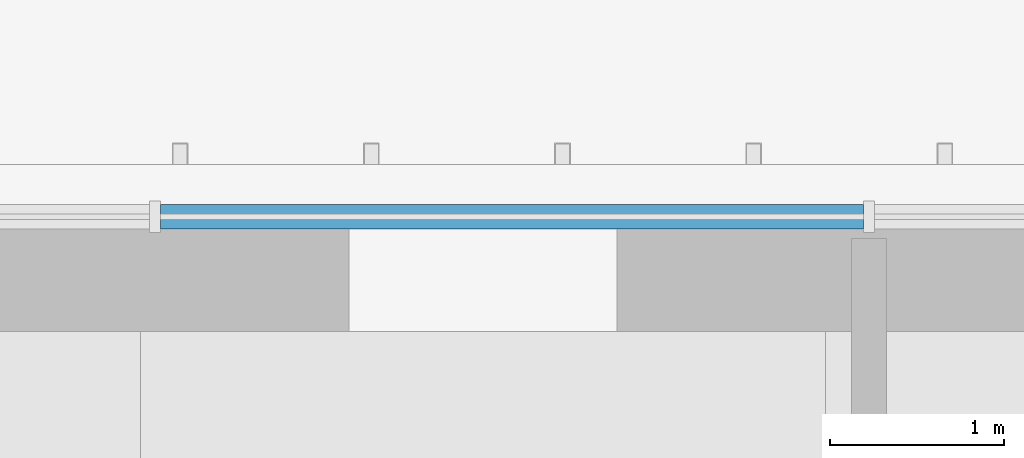
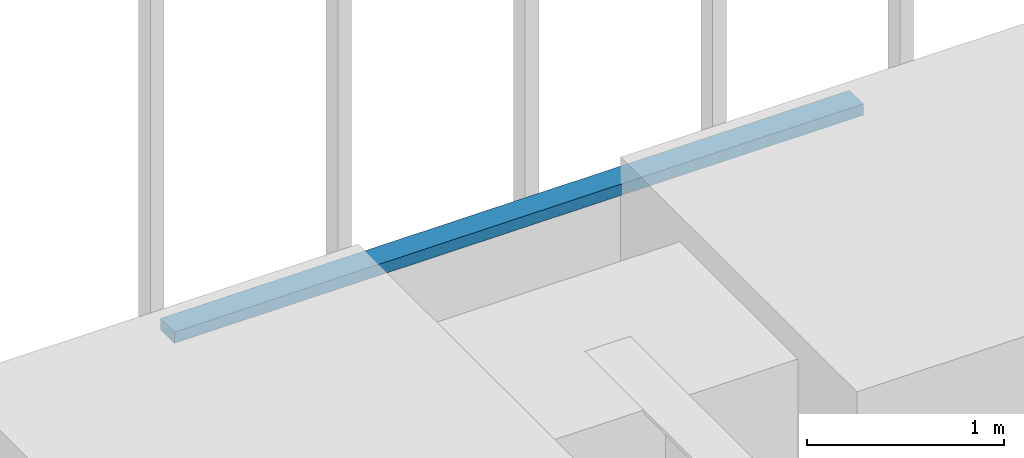
# One storey, part 200 of 238: 1 member, 1 element without a shape of its own.
"""IFC4 building model written with IfcOpenShell, lengths in metres."""

import ifcopenshell
import ifcopenshell.guid

model = None  # the IFC model being written
_history = None  # IfcOwnerHistory: only IFC2X3 demands one
_inside = {}  # id of a spatial element -> (the spatial element, [elements in it])
_under = {}  # id of a project, library or spatial element -> (it, [spatial elements below it])
_declared = {}  # id of a project -> (the project, [libraries it declares])
_typed = {}  # id of a type object -> (the type object, [elements of that type])
_made_of = {}  # id of a material, layer set ... -> (it, [elements and type objects made of it])


def new_model(schema):
    """Start an empty IFC model of exactly this schema.

    Asked for "IFC4X3", IfcOpenShell would pick the latest addendum, in which some entities
    have other attributes; the version numbers below select the first issue.
    IFC2X3 requires an IfcOwnerHistory on every rooted entity: one is made here for all.
    """
    global model, _history
    if schema == "IFC4X3":
        model = ifcopenshell.file(schema_version=(4, 3, 0, 0))
    else:
        model = ifcopenshell.file(schema=schema)
    _inside.clear()
    _under.clear()
    _declared.clear()
    _typed.clear()
    _made_of.clear()
    _history = None
    if model.schema == "IFC2X3":
        org = make("IfcOrganization", Name="unknown")
        user = make(
            "IfcPersonAndOrganization",
            ThePerson=make("IfcPerson", FamilyName="unknown"),
            TheOrganization=org,
        )
        app = make(
            "IfcApplication",
            ApplicationDeveloper=org,
            Version="unknown",
            ApplicationFullName="unknown",
            ApplicationIdentifier="unknown",
        )
        _history = make(
            "IfcOwnerHistory",
            OwningUser=user,
            OwningApplication=app,
            ChangeAction="ADDED",
            CreationDate=0,
        )
    return model


def make(cls, **values):
    """One entity of the class cls with the attributes given. An attribute that is None is left unset."""
    return model.create_entity(
        cls, **{name: value for name, value in values.items() if value is not None}
    )


def rooted(cls, **values):
    """An entity with a GlobalId (a new one), such as an element, a storey or a relation."""
    return make(cls, GlobalId=ifcopenshell.guid.new(), OwnerHistory=_history, **values)


def si_unit(unit_type, name, prefix=None):
    """IfcSIUnit, for example si_unit("LENGTHUNIT", "METRE", prefix="MILLI")."""
    return make("IfcSIUnit", UnitType=unit_type, Prefix=prefix, Name=name)


def assignment(units):
    """IfcUnitAssignment: the units of a project."""
    return None if units is None else make("IfcUnitAssignment", Units=units)


def point(xyz):
    """IfcCartesianPoint."""
    return None if xyz is None else make("IfcCartesianPoint", Coordinates=xyz)


def direction(xyz):
    """IfcDirection."""
    return None if xyz is None else make("IfcDirection", DirectionRatios=xyz)


def frame(location, z_axis=None, x_axis=None):
    """IfcAxis2Placement3D, a coordinate frame: its origin and axes. An axis left out is left unset."""
    return make(
        "IfcAxis2Placement3D",
        Location=point(location),
        Axis=direction(z_axis),
        RefDirection=direction(x_axis),
    )


def frame_2d(location, x_axis=None):
    """IfcAxis2Placement2D, a coordinate frame in the plane: its origin and x axis."""
    return make(
        "IfcAxis2Placement2D", Location=point(location), RefDirection=direction(x_axis)
    )


def origin():
    """The frame at (0, 0, 0) with its axes left unset."""
    return frame((0.0, 0.0, 0.0))


def origin_2d():
    """The frame at (0, 0) in the plane with its x axis left unset."""
    return frame_2d((0.0, 0.0))


def place(relative_to, where):
    """IfcLocalPlacement: puts the frame where relative to a parent placement (None: the world)."""
    return make(
        "IfcLocalPlacement", PlacementRelTo=relative_to, RelativePlacement=where
    )


def context(
    kind, dimensions, precision=None, world=None, true_north=None, identifier=None
):
    """IfcGeometricRepresentationContext, for example the 3D "Model" context."""
    return make(
        "IfcGeometricRepresentationContext",
        ContextIdentifier=identifier,
        ContextType=kind,
        CoordinateSpaceDimension=dimensions,
        Precision=precision,
        WorldCoordinateSystem=world,
        TrueNorth=true_north,
    )


def subcontext(parent, identifier, kind, view, scale=None):
    """IfcGeometricRepresentationSubContext, for example "Body" below "Model"."""
    return make(
        "IfcGeometricRepresentationSubContext",
        ContextIdentifier=identifier,
        ContextType=kind,
        ParentContext=parent,
        TargetScale=scale,
        TargetView=view,
    )


def project(units=None, contexts=None):
    """IfcProject with its units and contexts."""
    return rooted(
        "IfcProject",
        Name="project",
        RepresentationContexts=contexts,
        UnitsInContext=assignment(units),
    )


def spatial(cls, under=None, at=None, **own):
    """A site, building, storey or space (cls), placed at a placement, below another one or the project."""
    s = rooted(cls, ObjectPlacement=at, **own)
    if under is not None:
        _under.setdefault(under.id(), (under, []))[1].append(s)
    return s


def profile(cls, at=None, kind="AREA", **sizes):
    """A parametric profile (cls). Its sizes go by their IFC names, for example OverallWidth=200.0."""
    return make(cls, ProfileType=kind, Position=at, **sizes)


def rectangle(**sizes):
    """IfcRectangleProfileDef."""
    return profile("IfcRectangleProfileDef", **sizes)


def extrude(swept, where, along, depth):
    """IfcExtrudedAreaSolid: the profile swept, set in the frame where, extruded along a direction by depth."""
    return make(
        "IfcExtrudedAreaSolid",
        SweptArea=swept,
        Position=where,
        ExtrudedDirection=direction(along),
        Depth=depth,
    )


def shape(context_of_items, identifier, shape_type, items):
    """IfcShapeRepresentation: the items that make up one representation, for example the "Body"."""
    return make(
        "IfcShapeRepresentation",
        ContextOfItems=context_of_items,
        RepresentationIdentifier=identifier,
        RepresentationType=shape_type,
        Items=items,
    )


def material(Name=None, Category=None):
    """IfcMaterial."""
    return make("IfcMaterial", Name=Name, Category=Category)


def material_profile(
    of_material, cross_section, Name=None, Category=None, Priority=None
):
    """IfcMaterialProfile: a cross section and its material."""
    return make(
        "IfcMaterialProfile",
        Name=Name,
        Material=of_material,
        Profile=cross_section,
        Priority=Priority,
        Category=Category,
    )


def profile_set(profiles, Name=None, composite=None):
    """IfcMaterialProfileSet."""
    return make(
        "IfcMaterialProfileSet",
        Name=Name,
        MaterialProfiles=profiles,
        CompositeProfile=composite,
    )


def made_of(thing, what):
    """Note that an element or type object is made of a material, layer set ...; save() writes the relation."""
    if what is not None:
        _made_of.setdefault(what.id(), (what, []))[1].append(thing)
    return thing


def type_object(cls, material=None, **own):
    """A type object (cls), such as IfcWallType, which elements share."""
    return made_of(rooted(cls, **own), material)


def element(
    cls,
    number,
    at=None,
    inside=None,
    cuts=None,
    type_object=None,
    material=None,
    context=None,
    identifier="Body",
    shape_type=None,
    held_by="IfcProductDefinitionShape",
    body=None,
    shapes=None,
    **own,
):
    """One element of the class cls, such as IfcWall. Its Tag is "e" and its number.

    at: its placement. inside: the storey or other place that contains it. cuts: it is an
    opening in that element (IfcRelVoidsElement). A single representation is given by context,
    identifier, shape_type and body (its items); several are given by shapes. held_by: the class
    of the entity that holds the representations. save() writes the other relations.
    """
    e = rooted(cls, Tag="e%d" % number, ObjectPlacement=at, **own)
    if body is not None:
        shapes = [shape(context, identifier, shape_type, body)]
    if shapes is not None:
        e.Representation = make(held_by, Representations=shapes)
    if inside is not None:
        _inside.setdefault(inside.id(), (inside, []))[1].append(e)
    if cuts is not None:
        rooted(
            "IfcRelVoidsElement", RelatingBuildingElement=cuts, RelatedOpeningElement=e
        )
    if type_object is not None:
        _typed.setdefault(type_object.id(), (type_object, []))[1].append(e)
    return made_of(e, material)


def aggregate(whole, parts):
    """IfcRelAggregates: a whole, such as a stair, and the parts it consists of."""
    return rooted("IfcRelAggregates", RelatingObject=whole, RelatedObjects=parts)


def save(model, path):
    """Write the relations noted so far, then the file.

    IfcRelAggregates (storeys below a building ...), IfcRelContainedInSpatialStructure (elements
    in a storey), IfcRelDefinesByType, IfcRelAssociatesMaterial and IfcRelDeclares: one each for
    every whole, place, type object, material and project.
    """
    for whole, parts in _under.values():
        aggregate(whole, parts)
    for where, things in _inside.values():
        rooted(
            "IfcRelContainedInSpatialStructure",
            RelatedElements=things,
            RelatingStructure=where,
        )
    for kind, things in _typed.values():
        rooted("IfcRelDefinesByType", RelatedObjects=things, RelatingType=kind)
    for what, things in _made_of.values():
        rooted("IfcRelAssociatesMaterial", RelatedObjects=things, RelatingMaterial=what)
    for by, libraries in _declared.values():
        rooted("IfcRelDeclares", RelatingContext=by, RelatedDefinitions=libraries)
    model.write(path)


model = new_model("IFC4")

# Units and contexts
model_context = context("Model", 3, precision=1e-05, world=origin(), true_north=direction((0.0, 1.0)))
body_context = subcontext(model_context, "Body", "Model", "MODEL_VIEW")
ifc_project = project(units=[si_unit("LENGTHUNIT", "METRE"), si_unit("AREAUNIT", "SQUARE_METRE"), si_unit("VOLUMEUNIT", "CUBIC_METRE"), si_unit("PLANEANGLEUNIT", "RADIAN"), si_unit("MASSUNIT", "GRAM", prefix="KILO")], contexts=[model_context])

# Site, building, storey
site_placement = place(None, origin())
site = spatial("IfcSite", under=ifc_project, at=site_placement, CompositionType="ELEMENT")
building_placement = place(site_placement, origin())
building = spatial("IfcBuilding", under=site, at=building_placement, Name="Sandreach Pilgrim Tower", CompositionType="ELEMENT")
storey_placement = place(building_placement, frame((0.0, 0.0, 96.800048828125)))
storey = spatial("IfcBuildingStorey", under=building, at=storey_placement, Name="L23", CompositionType="ELEMENT", Elevation=96.800048828125)

# Curtain wall, member
ifc_material_1 = material(Name="Aluminium framed curtain wall", Category="aluminium")
curtain_wall_type = type_object("IfcCurtainWallType", Name="Hotel tower curtain wall", PredefinedType="NOTDEFINED", material=ifc_material_1)
curtain_wall_placement = place(storey_placement, origin())
curtain_wall = element("IfcCurtainWall", 1, at=curtain_wall_placement, inside=storey, type_object=curtain_wall_type, Name="CW-2 L23 N", PredefinedType="NOTDEFINED")
ifc_material_2 = material(Name="Aluminium extrusion", Category="aluminium")
ifc_material_profile = material_profile(ifc_material_2, rectangle(XDim=0.139892578125, YDim=0.070068359375, at=origin_2d()), Name="CW-2T 140X70")
ifc_profile_set = profile_set([ifc_material_profile], Name="Aluminium extrusion")
member_type = type_object("IfcMemberType", Name="CW-2 transom", PredefinedType="USERDEFINED", material=ifc_profile_set)
member_placement = place(storey_placement, frame((2.0859375, 22.493896484375, 3.60498046875), z_axis=(1.0, 0.0, 0.0), x_axis=(0.0, 1.0, 0.0)))
member = element("IfcMember", 2, at=member_placement, type_object=member_type, Name="CW-2 head transom 6", ObjectType="TRANSOM", PredefinedType="USERDEFINED", context=body_context, shape_type="SweptSolid", body=[
    extrude(rectangle(XDim=0.139892578125, YDim=0.070068359375, at=origin_2d()), origin(), (0.0, 0.0, 1.0), 4.0419921875),
])
aggregate(curtain_wall, [member])

save(model, "model.ifc")
